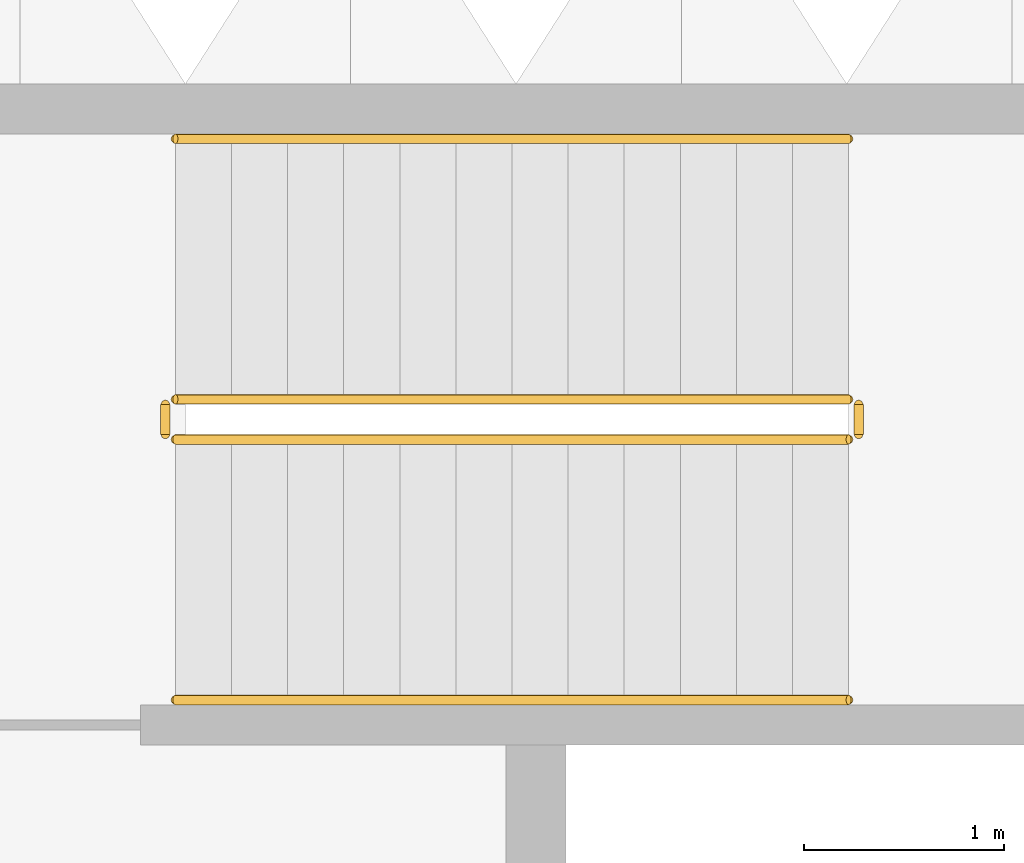
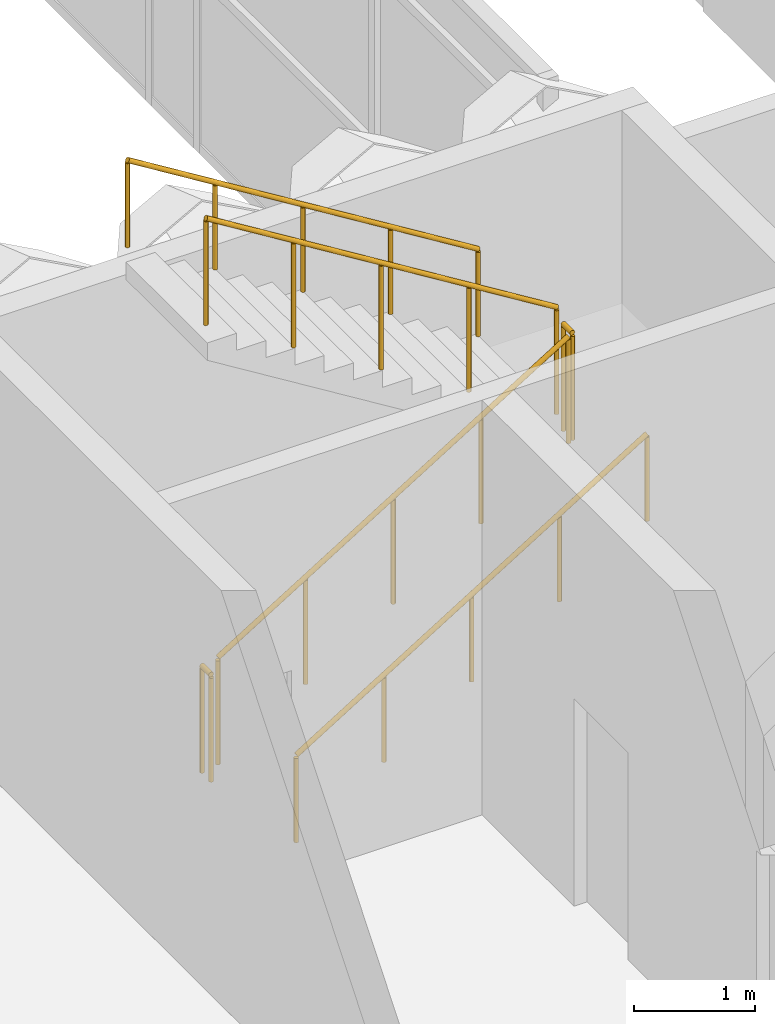
# One storey, part 64 of 102: 6 railings.
"""IFC4 building model written with IfcOpenShell, lengths in metres."""

from ifc_helpers import new_model, si_unit, direction, frame, origin, origin_2d, place, context, subcontext, project, spatial, circle, extrude, material, type_object, element, save


model = new_model("IFC4")

# Units and contexts
model_context = context("Model", 3, precision=1e-05, world=origin(), true_north=direction((0.0, 1.0)))
body_context = subcontext(model_context, "Body", "Model", "MODEL_VIEW")
ifc_project = project(units=[si_unit("LENGTHUNIT", "METRE"), si_unit("AREAUNIT", "SQUARE_METRE"), si_unit("VOLUMEUNIT", "CUBIC_METRE"), si_unit("PLANEANGLEUNIT", "RADIAN"), si_unit("MASSUNIT", "GRAM", prefix="KILO")], contexts=[model_context])

# Site, building, storey
site_placement = place(None, origin())
site = spatial("IfcSite", under=ifc_project, at=site_placement, CompositionType="ELEMENT")
building_placement = place(site_placement, origin())
building = spatial("IfcBuilding", under=site, at=building_placement, Name="Lantern Court Research Institute", CompositionType="ELEMENT")
storey_placement = place(building_placement, frame((0.0, 0.0, 9.89990234375)))
storey = spatial("IfcBuildingStorey", under=building, at=storey_placement, Name="L02", CompositionType="ELEMENT", Elevation=9.89990234375)

# Railings
ifc_material_1 = material(Name="Structural steel S355", Category="steel")
railing_type_1 = type_object("IfcRailingType", Name="Stair guard 1100 steel", PredefinedType="GUARDRAIL", material=ifc_material_1)
railing_1_placement = place(storey_placement, frame((34.60009765625, 21.324951171875, 0.173095703125)))
element("IfcRailing", 1, at=railing_1_placement, inside=storey, type_object=railing_type_1, Name="L02 ST-B3 stair guard 1", PredefinedType="GUARDRAIL", context=body_context, shape_type="SweptSolid", body=[
    extrude(circle(Radius=0.02392578125, at=origin_2d()), frame((0.0, 0.0, 1.076171875), z_axis=(0.850606129759, 0.0, 0.525803396734), x_axis=(0.0, 1.0, 0.0)), (0.0, 0.0, 1.0), 3.949951171875),
    extrude(circle(Radius=0.02099609375, at=origin_2d()), origin(), (0.0, 0.0, 1.0), 1.052001953125),
    extrude(circle(Radius=0.02099609375, at=origin_2d()), frame((0.83984375, 0.0, 0.519287109375)), (0.0, 0.0, 1.0), 1.052001953125),
    extrude(circle(Radius=0.02099609375, at=origin_2d()), frame((1.679931640625, 0.0, 1.03857421875)), (0.0, 0.0, 1.0), 1.052001953125),
    extrude(circle(Radius=0.02099609375, at=origin_2d()), frame((2.52001953125, 0.0, 1.5576171875)), (0.0, 0.0, 1.0), 1.052001953125),
    extrude(circle(Radius=0.02099609375, at=origin_2d()), frame((3.35986328125, 0.0, 2.076904296875)), (0.0, 0.0, 1.0), 1.052001953125),
])
railing_2_placement = place(storey_placement, frame((38.010009765625, 21.35009765625, 2.25)))
element("IfcRailing", 2, at=railing_2_placement, inside=storey, type_object=railing_type_1, Name="L02 ST-B3 stair guard 2", PredefinedType="GUARDRAIL", context=body_context, shape_type="SweptSolid", body=[
    extrude(circle(Radius=0.02392578125, at=origin_2d()), frame((0.0, 0.0, 1.076171875), z_axis=(0.0, 1.0, 0.0), x_axis=(-1.0, 0.0, 0.0)), (0.0, 0.0, 1.0), 0.14990234375),
    extrude(circle(Radius=0.02099609375, at=origin_2d()), origin(), (0.0, 0.0, 1.0), 1.052001953125),
    extrude(circle(Radius=0.02099609375, at=origin_2d()), frame((0.0, 0.14990234375, 0.0)), (0.0, 0.0, 1.0), 1.052001953125),
])
railing_3_placement = place(storey_placement, frame((37.9599609375, 21.52490234375, 2.423095703125)))
element("IfcRailing", 3, at=railing_3_placement, inside=storey, type_object=railing_type_1, Name="L02 ST-B3 stair guard 3", PredefinedType="GUARDRAIL", context=body_context, shape_type="SweptSolid", body=[
    extrude(circle(Radius=0.02392578125, at=origin_2d()), frame((0.0, 0.0, 1.076171875), z_axis=(-0.850606129759, 0.0, 0.525803396734), x_axis=(0.0, -1.0, 0.0)), (0.0, 0.0, 1.0), 3.949951171875),
    extrude(circle(Radius=0.02099609375, at=origin_2d()), origin(), (0.0, 0.0, 1.0), 1.052001953125),
    extrude(circle(Radius=0.02099609375, at=origin_2d()), frame((-0.83984375, 0.0, 0.519287109375)), (0.0, 0.0, 1.0), 1.052001953125),
    extrude(circle(Radius=0.02099609375, at=origin_2d()), frame((-1.679931640625, 0.0, 1.03857421875)), (0.0, 0.0, 1.0), 1.052001953125),
    extrude(circle(Radius=0.02099609375, at=origin_2d()), frame((-2.52001953125, 0.0, 1.5576171875)), (0.0, 0.0, 1.0), 1.052001953125),
    extrude(circle(Radius=0.02099609375, at=origin_2d()), frame((-3.35986328125, 0.0, 2.076904296875)), (0.0, 0.0, 1.0), 1.052001953125),
])
railing_4_placement = place(storey_placement, frame((34.550048828125, 21.35009765625, 0.0)))
element("IfcRailing", 4, at=railing_4_placement, inside=storey, type_object=railing_type_1, Name="L02 ST-B3 stair guard 4", PredefinedType="GUARDRAIL", context=body_context, shape_type="SweptSolid", body=[
    extrude(circle(Radius=0.02392578125, at=origin_2d()), frame((0.0, 0.0, 1.076171875), z_axis=(0.0, 1.0, 0.0), x_axis=(-1.0, 0.0, 0.0)), (0.0, 0.0, 1.0), 0.14990234375),
    extrude(circle(Radius=0.02099609375, at=origin_2d()), origin(), (0.0, 0.0, 1.0), 1.052001953125),
    extrude(circle(Radius=0.02099609375, at=origin_2d()), frame((0.0, 0.14990234375, 0.0)), (0.0, 0.0, 1.0), 1.052001953125),
])
ifc_material_2 = material(Name="Stainless steel 316", Category="steel")
railing_type_2 = type_object("IfcRailingType", Name="Stair handrail 900 steel", PredefinedType="HANDRAIL", material=ifc_material_2)
railing_5_placement = place(storey_placement, frame((34.60009765625, 20.02490234375, 0.173095703125)))
element("IfcRailing", 5, at=railing_5_placement, inside=storey, type_object=railing_type_2, Name="L02 ST-B3 stair handrail 1", PredefinedType="HANDRAIL", context=body_context, shape_type="SweptSolid", body=[
    extrude(circle(Radius=0.02392578125, at=origin_2d()), frame((0.0, 0.0, 0.8759765625), z_axis=(0.850606129759, 0.0, 0.525803396734), x_axis=(0.0, 1.0, 0.0)), (0.0, 0.0, 1.0), 3.949951171875),
    extrude(circle(Radius=0.02099609375, at=origin_2d()), origin(), (0.0, 0.0, 1.0), 0.851806640625),
    extrude(circle(Radius=0.02099609375, at=origin_2d()), frame((0.83984375, 0.0, 0.519287109375)), (0.0, 0.0, 1.0), 0.851806640625),
    extrude(circle(Radius=0.02099609375, at=origin_2d()), frame((1.679931640625, 0.0, 1.03857421875)), (0.0, 0.0, 1.0), 0.851806640625),
    extrude(circle(Radius=0.02099609375, at=origin_2d()), frame((2.52001953125, 0.0, 1.5576171875)), (0.0, 0.0, 1.0), 0.851806640625),
    extrude(circle(Radius=0.02099609375, at=origin_2d()), frame((3.35986328125, 0.0, 2.076904296875)), (0.0, 0.0, 1.0), 0.851806640625),
])
railing_6_placement = place(storey_placement, frame((37.9599609375, 22.824951171875, 2.423095703125)))
element("IfcRailing", 6, at=railing_6_placement, inside=storey, type_object=railing_type_2, Name="L02 ST-B3 stair handrail 2", PredefinedType="HANDRAIL", context=body_context, shape_type="SweptSolid", body=[
    extrude(circle(Radius=0.02392578125, at=origin_2d()), frame((0.0, 0.0, 0.8759765625), z_axis=(-0.850606129759, 0.0, 0.525803396734), x_axis=(0.0, -1.0, 0.0)), (0.0, 0.0, 1.0), 3.949951171875),
    extrude(circle(Radius=0.02099609375, at=origin_2d()), origin(), (0.0, 0.0, 1.0), 0.851806640625),
    extrude(circle(Radius=0.02099609375, at=origin_2d()), frame((-0.83984375, 0.0, 0.519287109375)), (0.0, 0.0, 1.0), 0.851806640625),
    extrude(circle(Radius=0.02099609375, at=origin_2d()), frame((-1.679931640625, 0.0, 1.03857421875)), (0.0, 0.0, 1.0), 0.851806640625),
    extrude(circle(Radius=0.02099609375, at=origin_2d()), frame((-2.52001953125, 0.0, 1.5576171875)), (0.0, 0.0, 1.0), 0.851806640625),
    extrude(circle(Radius=0.02099609375, at=origin_2d()), frame((-3.35986328125, 0.0, 2.076904296875)), (0.0, 0.0, 1.0), 0.851806640625),
])

save(model, "model.ifc")
